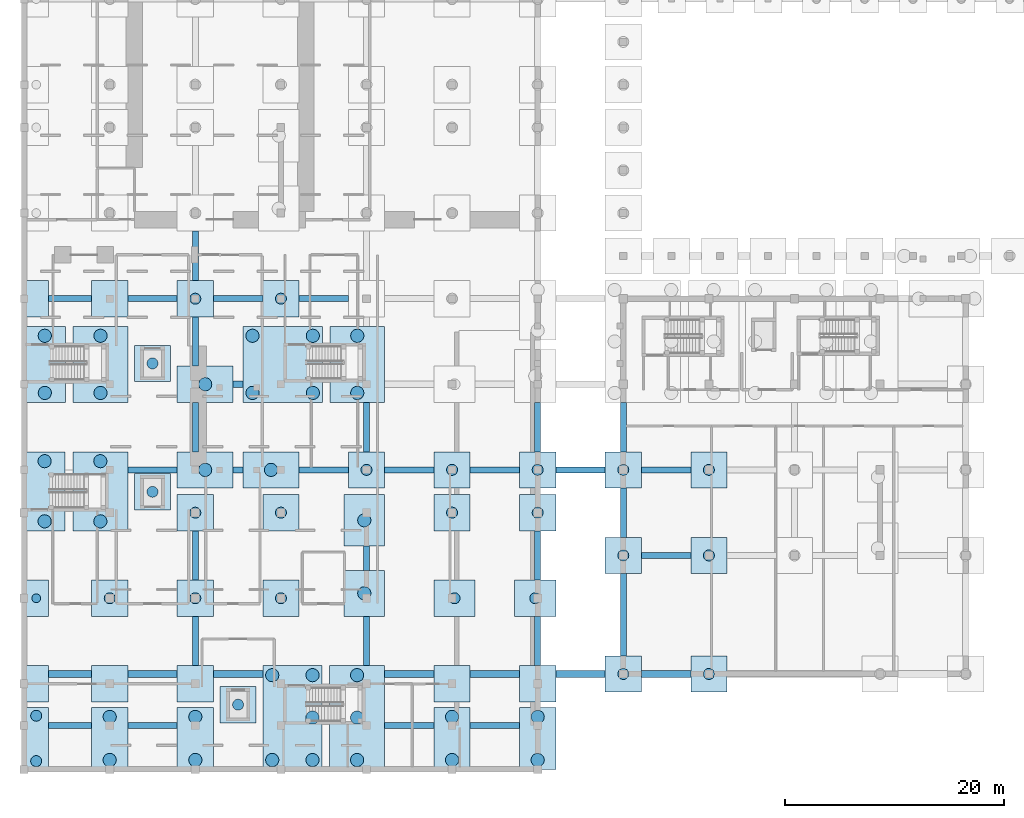
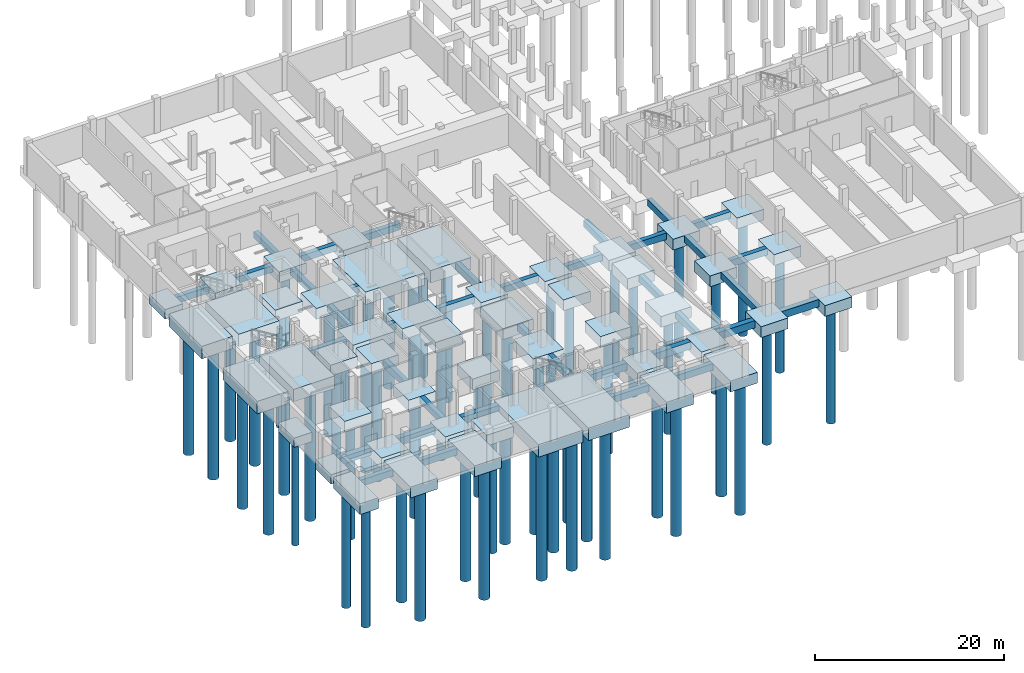
# One storey, part 1 of 24: 87 footings, 61 piles.
"""IFC4 building model written with IfcOpenShell, lengths in metres."""

from ifc_helpers import new_model, si_unit, direction, frame, origin, origin_2d, place, context, subcontext, project, spatial, rectangle, circle, extrude, material, material_profile, profile_set, type_object, element, save


model = new_model("IFC4")

# Units and contexts
model_context = context("Model", 3, precision=1e-05, world=origin(), true_north=direction((0.0, 1.0)))
body_context = subcontext(model_context, "Body", "Model", "MODEL_VIEW")
ifc_project = project(units=[si_unit("LENGTHUNIT", "METRE"), si_unit("AREAUNIT", "SQUARE_METRE"), si_unit("VOLUMEUNIT", "CUBIC_METRE"), si_unit("PLANEANGLEUNIT", "RADIAN"), si_unit("MASSUNIT", "GRAM", prefix="KILO")], contexts=[model_context])

# Site, building, storey
site_placement = place(None, origin())
site = spatial("IfcSite", under=ifc_project, at=site_placement, CompositionType="ELEMENT")
building_placement = place(site_placement, origin())
building = spatial("IfcBuilding", under=site, at=building_placement, Name="Celorna Specialist Clinic", CompositionType="ELEMENT")
storey_placement = place(building_placement, frame((0.0, 0.0, -4.5)))
storey = spatial("IfcBuildingStorey", under=building, at=storey_placement, Name="B01", CompositionType="ELEMENT", Elevation=-4.5)

# Footings
ifc_material = material(Name="Concrete C35/45", Category="concrete")
footing_type_1 = type_object("IfcFootingType", Name="FB-01", PredefinedType="FOOTING_BEAM", material=ifc_material)
footing_1_placement = place(storey_placement, frame((4.175048828125, 4.0, -0.85009765625), z_axis=(0.0, 0.0, 1.0), x_axis=(1.0, 0.0, 0.0)))
element("IfcFooting", 1, at=footing_1_placement, inside=storey, type_object=footing_type_1, Name="Foundation tie beam FB-01 #1", PredefinedType="FOOTING_BEAM", context=body_context, shape_type="SweptSolid", body=[
    extrude(rectangle(XDim=3.949951171875, YDim=0.550048828125, at=origin_2d()), origin(), (0.0, 0.0, 1.0), 0.85009765625),
])
for number, where, z_axis, x_axis, name in (
    (2, (11.699951171875, 4.0, -0.85009765625), (0.0, 0.0, 1.0), (1.0, 0.0, 0.0), "Foundation tie beam FB-01 #2"),
    (3, (35.10009765625, 4.0, -0.85009765625), (0.0, 0.0, 1.0), (1.0, 0.0, 0.0), "Foundation tie beam FB-01 #3"),
    (4, (42.89990234375, 4.0, -0.85009765625), (0.0, 0.0, 1.0), (1.0, 0.0, 0.0), "Foundation tie beam FB-01 #4"),
    (5, (58.5, 19.5, -0.85009765625), (0.0, 0.0, 1.0), (1.0, 0.0, 0.0), "Foundation tie beam FB-01 #14"),
    (6, (11.699951171875, 27.300048828125, -0.85009765625), (0.0, 0.0, 1.0), (1.0, 0.0, 0.0), "Foundation tie beam FB-01 #18"),
):
    element("IfcFooting", number, at=place(storey_placement, frame(where, z_axis=z_axis, x_axis=x_axis)), inside=storey, type_object=footing_type_1, Name=name, PredefinedType="FOOTING_BEAM", context=body_context, shape_type="SweptSolid", body=[
        extrude(rectangle(XDim=4.5, YDim=0.550048828125, at=origin_2d()), origin(), (0.0, 0.0, 1.0), 0.85009765625),
    ])
footing_2_placement = place(storey_placement, frame((19.5, 27.300048828125, -0.85009765625), z_axis=(0.0, 0.0, 1.0), x_axis=(1.0, 0.0, 0.0)))
element("IfcFooting", 7, at=footing_2_placement, inside=storey, type_object=footing_type_1, Name="Foundation tie beam FB-01 #19", PredefinedType="FOOTING_BEAM", context=body_context, shape_type="SweptSolid", body=[
    extrude(rectangle(XDim=0.89990234375, YDim=0.550048828125, at=origin_2d()), origin(), (0.0, 0.0, 1.0), 0.85009765625),
])
for number, where, z_axis, x_axis, name in (
    (8, (27.300048828125, 27.300048828125, -0.85009765625), (0.0, 0.0, 1.0), (1.0, 0.0, 0.0), "Foundation tie beam FB-01 #20"),
    (9, (35.10009765625, 27.300048828125, -0.85009765625), (0.0, 0.0, 1.0), (1.0, 0.0, 0.0), "Foundation tie beam FB-01 #21"),
    (10, (42.89990234375, 27.300048828125, -0.85009765625), (0.0, 0.0, 1.0), (1.0, 0.0, 0.0), "Foundation tie beam FB-01 #22"),
    (11, (50.699951171875, 27.300048828125, -0.85009765625), (0.0, 0.0, 1.0), (1.0, 0.0, 0.0), "Foundation tie beam FB-01 #23"),
    (12, (58.5, 27.300048828125, -0.85009765625), (0.0, 0.0, 1.0), (1.0, 0.0, 0.0), "Foundation tie beam FB-01 #24"),
):
    element("IfcFooting", number, at=place(storey_placement, frame(where, z_axis=z_axis, x_axis=x_axis)), inside=storey, type_object=footing_type_1, Name=name, PredefinedType="FOOTING_BEAM", context=body_context, shape_type="SweptSolid", body=[
        extrude(rectangle(XDim=4.5, YDim=0.550048828125, at=origin_2d()), origin(), (0.0, 0.0, 1.0), 0.85009765625),
    ])
footing_3_placement = place(storey_placement, frame((19.5, 35.10009765625, -0.85009765625), z_axis=(0.0, 0.0, 1.0), x_axis=(1.0, 0.0, 0.0)))
element("IfcFooting", 13, at=footing_3_placement, inside=storey, type_object=footing_type_1, Name="Foundation tie beam FB-01 #28", PredefinedType="FOOTING_BEAM", context=body_context, shape_type="SweptSolid", body=[
    extrude(rectangle(XDim=0.89990234375, YDim=0.550048828125, at=origin_2d()), origin(), (0.0, 0.0, 1.0), 0.85009765625),
])
footing_4_placement = place(storey_placement, frame((4.175048828125, 42.89990234375, -0.85009765625), z_axis=(0.0, 0.0, 1.0), x_axis=(1.0, 0.0, 0.0)))
element("IfcFooting", 14, at=footing_4_placement, inside=storey, type_object=footing_type_1, Name="Foundation tie beam FB-01 #33", PredefinedType="FOOTING_BEAM", context=body_context, shape_type="SweptSolid", body=[
    extrude(rectangle(XDim=3.949951171875, YDim=0.550048828125, at=origin_2d()), origin(), (0.0, 0.0, 1.0), 0.85009765625),
])
for number, where, z_axis, x_axis, name in (
    (15, (11.699951171875, 42.89990234375, -0.85009765625), (0.0, 0.0, 1.0), (1.0, 0.0, 0.0), "Foundation tie beam FB-01 #34"),
    (16, (19.5, 42.89990234375, -0.85009765625), (0.0, 0.0, 1.0), (1.0, 0.0, 0.0), "Foundation tie beam FB-01 #35"),
    (17, (27.300048828125, 42.89990234375, -0.85009765625), (0.0, 0.0, 1.0), (1.0, 0.0, 0.0), "Foundation tie beam FB-01 #36"),
    (18, (15.60009765625, 11.699951171875, -0.85009765625), (0.0, 0.0, 1.0), (0.0, 1.0, 0.0), "Foundation tie beam FB-01 #101"),
    (19, (15.60009765625, 19.5, -0.85009765625), (0.0, 0.0, 1.0), (0.0, 1.0, 0.0), "Foundation tie beam FB-01 #102"),
    (20, (15.60009765625, 31.199951171875, -0.85009765625), (0.0, 0.0, 1.0), (0.0, 1.0, 0.0), "Foundation tie beam FB-01 #103"),
    (21, (15.60009765625, 39.0, -0.85009765625), (0.0, 0.0, 1.0), (0.0, 1.0, 0.0), "Foundation tie beam FB-01 #104"),
    (22, (15.60009765625, 46.800048828125, -0.85009765625), (0.0, 0.0, 1.0), (0.0, 1.0, 0.0), "Foundation tie beam FB-01 #105"),
    (23, (31.199951171875, 11.699951171875, -0.85009765625), (0.0, 0.0, 1.0), (0.0, 1.0, 0.0), "Foundation tie beam FB-01 #108"),
):
    element("IfcFooting", number, at=place(storey_placement, frame(where, z_axis=z_axis, x_axis=x_axis)), inside=storey, type_object=footing_type_1, Name=name, PredefinedType="FOOTING_BEAM", context=body_context, shape_type="SweptSolid", body=[
        extrude(rectangle(XDim=4.5, YDim=0.550048828125, at=origin_2d()), origin(), (0.0, 0.0, 1.0), 0.85009765625),
    ])
footing_5_placement = place(storey_placement, frame((31.199951171875, 19.25, -0.85009765625), z_axis=(0.0, 0.0, 1.0), x_axis=(0.0, 1.0, 0.0)))
element("IfcFooting", 24, at=footing_5_placement, inside=storey, type_object=footing_type_1, Name="Foundation tie beam FB-01 #109", PredefinedType="FOOTING_BEAM", context=body_context, shape_type="SweptSolid", body=[
    extrude(rectangle(XDim=2.199951171875, YDim=0.550048828125, at=origin_2d()), origin(), (0.0, 0.0, 1.0), 0.85009765625),
])
for number, where, z_axis, x_axis, name in (
    (25, (31.199951171875, 31.199951171875, -0.85009765625), (0.0, 0.0, 1.0), (0.0, 1.0, 0.0), "Foundation tie beam FB-01 #110"),
    (26, (46.800048828125, 11.699951171875, -0.85009765625), (0.0, 0.0, 1.0), (0.0, 1.0, 0.0), "Foundation tie beam FB-01 #115"),
    (27, (46.800048828125, 19.5, -0.85009765625), (0.0, 0.0, 1.0), (0.0, 1.0, 0.0), "Foundation tie beam FB-01 #116"),
    (28, (46.800048828125, 31.199951171875, -0.85009765625), (0.0, 0.0, 1.0), (0.0, 1.0, 0.0), "Foundation tie beam FB-01 #117"),
):
    element("IfcFooting", number, at=place(storey_placement, frame(where, z_axis=z_axis, x_axis=x_axis)), inside=storey, type_object=footing_type_1, Name=name, PredefinedType="FOOTING_BEAM", context=body_context, shape_type="SweptSolid", body=[
        extrude(rectangle(XDim=4.5, YDim=0.550048828125, at=origin_2d()), origin(), (0.0, 0.0, 1.0), 0.85009765625),
    ])
footing_6_placement = place(storey_placement, frame((54.60009765625, 14.10009765625, -0.85009765625), z_axis=(0.0, 0.0, 1.0), x_axis=(0.0, 1.0, 0.0)))
element("IfcFooting", 29, at=footing_6_placement, inside=storey, type_object=footing_type_1, Name="Foundation tie beam FB-01 #124", PredefinedType="FOOTING_BEAM", context=body_context, shape_type="SweptSolid", body=[
    extrude(rectangle(XDim=7.5, YDim=0.550048828125, at=origin_2d()), origin(), (0.0, 0.0, 1.0), 0.85009765625),
])
for number, where, z_axis, x_axis, name in (
    (30, (54.60009765625, 23.39990234375, -0.85009765625), (0.0, 0.0, 1.0), (0.0, 1.0, 0.0), "Foundation tie beam FB-01 #125"),
    (31, (54.60009765625, 31.199951171875, -0.85009765625), (0.0, 0.0, 1.0), (0.0, 1.0, 0.0), "Foundation tie beam FB-01 #126"),
):
    element("IfcFooting", number, at=place(storey_placement, frame(where, z_axis=z_axis, x_axis=x_axis)), inside=storey, type_object=footing_type_1, Name=name, PredefinedType="FOOTING_BEAM", context=body_context, shape_type="SweptSolid", body=[
        extrude(rectangle(XDim=4.5, YDim=0.550048828125, at=origin_2d()), origin(), (0.0, 0.0, 1.0), 0.85009765625),
    ])
footing_type_2 = type_object("IfcFootingType", Name="FB-02", PredefinedType="FOOTING_BEAM", material=ifc_material)
footing_7_placement = place(storey_placement, frame((4.175048828125, 8.699951171875, -0.9501953125), z_axis=(0.0, 0.0, 1.0), x_axis=(1.0, 0.0, 0.0)))
element("IfcFooting", 32, at=footing_7_placement, inside=storey, type_object=footing_type_2, Name="Foundation tie beam FB-02 #5", PredefinedType="FOOTING_BEAM", context=body_context, shape_type="SweptSolid", body=[
    extrude(rectangle(XDim=3.949951171875, YDim=0.64990234375, at=origin_2d()), origin(), (0.0, 0.0, 1.0), 0.949951171875),
])
for number, where, z_axis, x_axis, name in (
    (33, (11.699951171875, 8.699951171875, -0.9501953125), (0.0, 0.0, 1.0), (1.0, 0.0, 0.0), "Foundation tie beam FB-02 #6"),
    (34, (19.5, 8.699951171875, -0.9501953125), (0.0, 0.0, 1.0), (1.0, 0.0, 0.0), "Foundation tie beam FB-02 #7"),
    (35, (35.10009765625, 8.699951171875, -0.9501953125), (0.0, 0.0, 1.0), (1.0, 0.0, 0.0), "Foundation tie beam FB-02 #8"),
    (36, (42.89990234375, 8.699951171875, -0.9501953125), (0.0, 0.0, 1.0), (1.0, 0.0, 0.0), "Foundation tie beam FB-02 #9"),
    (37, (50.699951171875, 8.699951171875, -0.9501953125), (0.0, 0.0, 1.0), (1.0, 0.0, 0.0), "Foundation tie beam FB-02 #10"),
    (38, (58.5, 8.699951171875, -0.9501953125), (0.0, 0.0, 1.0), (1.0, 0.0, 0.0), "Foundation tie beam FB-02 #11"),
):
    element("IfcFooting", number, at=place(storey_placement, frame(where, z_axis=z_axis, x_axis=x_axis)), inside=storey, type_object=footing_type_2, Name=name, PredefinedType="FOOTING_BEAM", context=body_context, shape_type="SweptSolid", body=[
        extrude(rectangle(XDim=4.5, YDim=0.64990234375, at=origin_2d()), origin(), (0.0, 0.0, 1.0), 0.949951171875),
    ])

# Piles
ifc_material_profile_1 = material_profile(ifc_material, circle(Radius=0.39990234375, at=origin_2d()), Name="BORED PILE 800")
ifc_profile_set_1 = profile_set([ifc_material_profile_1], Name="Concrete C35/45")
pile_type_1 = type_object("IfcPileType", Name="P1", PredefinedType="BORED", material=ifc_profile_set_1)
pile_placement = place(storey_placement, frame((1.10009765625, 15.60009765625, -1.10009765625), z_axis=(0.0, 0.0, -1.0), x_axis=(1.0, 0.0, 0.0)))
element("IfcPile", 39, at=pile_placement, inside=storey, type_object=pile_type_1, Name="Bored pile P1 #3", PredefinedType="BORED", context=body_context, shape_type="SweptSolid", body=[
    extrude(circle(Radius=0.39990234375, at=origin_2d()), origin(), (0.0, 0.0, 1.0), 13.89990234375),
])
ifc_material_profile_2 = material_profile(ifc_material, circle(Radius=0.5, at=origin_2d()), Name="BORED PILE 1000")
ifc_profile_set_2 = profile_set([ifc_material_profile_2], Name="Concrete C35/45")
pile_type_2 = type_object("IfcPileType", Name="P2", PredefinedType="BORED", material=ifc_profile_set_2)
for number, where, z_axis, x_axis, name in (
    (40, (1.10009765625, 0.760009765625, -1.300048828125), (0.0, 0.0, -1.0), (1.0, 0.0, 0.0), "Bored pile P2 #1"),
    (41, (1.10009765625, 4.889892578125, -1.300048828125), (0.0, 0.0, -1.0), (1.0, 0.0, 0.0), "Bored pile P2 #2"),
    (42, (7.800048828125, 15.60009765625, -1.300048828125), (0.0, 0.0, -1.0), (1.0, 0.0, 0.0), "Bored pile P2 #18"),
    (43, (11.699951171875, 25.300048828125, -1.300048828125), (0.0, 0.0, -1.0), (1.0, 0.0, 0.0), "Bored pile P2 #23"),
    (44, (11.699951171875, 37.0, -1.300048828125), (0.0, 0.0, -1.0), (1.0, 0.0, 0.0), "Bored pile P2 #24"),
    (45, (15.60009765625, 15.60009765625, -1.300048828125), (0.0, 0.0, -1.0), (1.0, 0.0, 0.0), "Bored pile P2 #27"),
    (46, (15.60009765625, 23.39990234375, -1.300048828125), (0.0, 0.0, -1.0), (1.0, 0.0, 0.0), "Bored pile P2 #28"),
    (47, (15.60009765625, 42.89990234375, -1.300048828125), (0.0, 0.0, -1.0), (1.0, 0.0, 0.0), "Bored pile P2 #31"),
    (48, (19.5, 5.89990234375, -1.300048828125), (0.0, 0.0, -1.0), (1.0, 0.0, 0.0), "Bored pile P2 #36"),
    (49, (23.39990234375, 15.60009765625, -1.300048828125), (0.0, 0.0, -1.0), (1.0, 0.0, 0.0), "Bored pile P2 #49"),
    (50, (23.39990234375, 23.39990234375, -1.300048828125), (0.0, 0.0, -1.0), (1.0, 0.0, 0.0), "Bored pile P2 #50"),
    (51, (23.39990234375, 42.89990234375, -1.300048828125), (0.0, 0.0, -1.0), (1.0, 0.0, 0.0), "Bored pile P2 #51"),
    (52, (31.199951171875, 27.300048828125, -1.300048828125), (0.0, 0.0, -1.0), (1.0, 0.0, 0.0), "Bored pile P2 #61"),
    (53, (39.219970703125, 15.60009765625, -1.300048828125), (0.0, 0.0, -1.0), (1.0, 0.0, 0.0), "Bored pile P2 #68"),
    (54, (39.0, 23.39990234375, -1.300048828125), (0.0, 0.0, -1.0), (1.0, 0.0, 0.0), "Bored pile P2 #69"),
    (55, (39.0, 27.300048828125, -1.300048828125), (0.0, 0.0, -1.0), (1.0, 0.0, 0.0), "Bored pile P2 #70"),
    (56, (46.580078125, 15.60009765625, -1.300048828125), (0.0, 0.0, -1.0), (1.0, 0.0, 0.0), "Bored pile P2 #77"),
    (57, (46.800048828125, 23.39990234375, -1.300048828125), (0.0, 0.0, -1.0), (1.0, 0.0, 0.0), "Bored pile P2 #81"),
    (58, (46.800048828125, 27.300048828125, -1.300048828125), (0.0, 0.0, -1.0), (1.0, 0.0, 0.0), "Bored pile P2 #82"),
    (59, (54.60009765625, 8.699951171875, -1.300048828125), (0.0, 0.0, -1.0), (1.0, 0.0, 0.0), "Bored pile P2 #96"),
    (60, (54.60009765625, 19.5, -1.300048828125), (0.0, 0.0, -1.0), (1.0, 0.0, 0.0), "Bored pile P2 #97"),
    (61, (54.60009765625, 27.300048828125, -1.300048828125), (0.0, 0.0, -1.0), (1.0, 0.0, 0.0), "Bored pile P2 #98"),
    (62, (62.39990234375, 8.699951171875, -1.300048828125), (0.0, 0.0, -1.0), (1.0, 0.0, 0.0), "Bored pile P2 #126"),
    (63, (62.39990234375, 19.5, -1.300048828125), (0.0, 0.0, -1.0), (1.0, 0.0, 0.0), "Bored pile P2 #127"),
    (64, (62.39990234375, 27.300048828125, -1.300048828125), (0.0, 0.0, -1.0), (1.0, 0.0, 0.0), "Bored pile P2 #128"),
):
    element("IfcPile", number, at=place(storey_placement, frame(where, z_axis=z_axis, x_axis=x_axis)), inside=storey, type_object=pile_type_2, Name=name, PredefinedType="BORED", context=body_context, shape_type="SweptSolid", body=[
        extrude(circle(Radius=0.5, at=origin_2d()), origin(), (0.0, 0.0, 1.0), 15.199951171875),
    ])
ifc_material_profile_3 = material_profile(ifc_material, circle(Radius=0.60009765625, at=origin_2d()), Name="BORED PILE 1200")
ifc_profile_set_3 = profile_set([ifc_material_profile_3], Name="Concrete C35/45")
pile_type_3 = type_object("IfcPileType", Name="P3", PredefinedType="BORED", material=ifc_profile_set_3)
for number, where, z_axis, x_axis, name in (
    (65, (1.8701171875, 22.610107421875, -1.5), (0.0, 0.0, -1.0), (1.0, 0.0, 0.0), "Bored pile P3 #4"),
    (66, (1.8701171875, 28.090087890625, -1.5), (0.0, 0.0, -1.0), (1.0, 0.0, 0.0), "Bored pile P3 #5"),
    (67, (1.885009765625, 34.31005859375, -1.5), (0.0, 0.0, -1.0), (1.0, 0.0, 0.0), "Bored pile P3 #6"),
    (68, (1.885009765625, 39.52001953125, -1.5), (0.0, 0.0, -1.0), (1.0, 0.0, 0.0), "Bored pile P3 #7"),
    (69, (6.945068359375, 22.610107421875, -1.5), (0.0, 0.0, -1.0), (1.0, 0.0, 0.0), "Bored pile P3 #12"),
    (70, (6.945068359375, 28.090087890625, -1.5), (0.0, 0.0, -1.0), (1.0, 0.0, 0.0), "Bored pile P3 #13"),
    (71, (6.9599609375, 34.31005859375, -1.5), (0.0, 0.0, -1.0), (1.0, 0.0, 0.0), "Bored pile P3 #14"),
    (72, (6.9599609375, 39.52001953125, -1.5), (0.0, 0.0, -1.0), (1.0, 0.0, 0.0), "Bored pile P3 #15"),
):
    element("IfcPile", number, at=place(storey_placement, frame(where, z_axis=z_axis, x_axis=x_axis)), inside=storey, type_object=pile_type_3, Name=name, PredefinedType="BORED", context=body_context, shape_type="SweptSolid", body=[
        extrude(circle(Radius=0.60009765625, at=origin_2d()), origin(), (0.0, 0.0, 1.0), 16.5),
    ])
for number, where, z_axis, x_axis, name in (
    (73, (7.800048828125, 0.860107421875, -1.300048828125), (0.0, 0.0, -1.0), (1.0, 0.0, 0.0), "Bored pile P3 #16"),
    (74, (7.800048828125, 4.7900390625, -1.300048828125), (0.0, 0.0, -1.0), (1.0, 0.0, 0.0), "Bored pile P3 #17"),
    (75, (15.60009765625, 0.860107421875, -1.300048828125), (0.0, 0.0, -1.0), (1.0, 0.0, 0.0), "Bored pile P3 #25"),
    (76, (15.60009765625, 4.7900390625, -1.300048828125), (0.0, 0.0, -1.0), (1.0, 0.0, 0.0), "Bored pile P3 #26"),
    (77, (16.5, 27.300048828125, -1.300048828125), (0.0, 0.0, -1.0), (1.0, 0.0, 0.0), "Bored pile P3 #29"),
    (78, (16.5, 35.10009765625, -1.300048828125), (0.0, 0.0, -1.0), (1.0, 0.0, 0.0), "Bored pile P3 #30"),
    (79, (22.5, 27.300048828125, -1.300048828125), (0.0, 0.0, -1.0), (1.0, 0.0, 0.0), "Bored pile P3 #37"),
):
    element("IfcPile", number, at=place(storey_placement, frame(where, z_axis=z_axis, x_axis=x_axis)), inside=storey, type_object=pile_type_3, Name=name, PredefinedType="BORED", context=body_context, shape_type="SweptSolid", body=[
        extrude(circle(Radius=0.60009765625, at=origin_2d()), origin(), (0.0, 0.0, 1.0), 16.699951171875),
    ])
for number, where, z_axis, x_axis, name in (
    (80, (20.81005859375, 34.31005859375, -1.5), (0.0, 0.0, -1.0), (1.0, 0.0, 0.0), "Bored pile P3 #38"),
    (81, (20.81005859375, 39.52001953125, -1.5), (0.0, 0.0, -1.0), (1.0, 0.0, 0.0), "Bored pile P3 #39"),
    (82, (26.31005859375, 34.31005859375, -1.5), (0.0, 0.0, -1.0), (1.0, 0.0, 0.0), "Bored pile P3 #40"),
    (83, (26.31005859375, 39.52001953125, -1.5), (0.0, 0.0, -1.0), (1.0, 0.0, 0.0), "Bored pile P3 #41"),
    (84, (22.610107421875, 0.860107421875, -1.5), (0.0, 0.0, -1.0), (1.0, 0.0, 0.0), "Bored pile P3 #44"),
    (85, (22.610107421875, 8.590087890625, -1.5), (0.0, 0.0, -1.0), (1.0, 0.0, 0.0), "Bored pile P3 #45"),
    (86, (26.280029296875, 0.860107421875, -1.5), (0.0, 0.0, -1.0), (1.0, 0.0, 0.0), "Bored pile P3 #46"),
    (87, (26.280029296875, 4.72509765625, -1.5), (0.0, 0.0, -1.0), (1.0, 0.0, 0.0), "Bored pile P3 #47"),
    (88, (26.280029296875, 8.590087890625, -1.5), (0.0, 0.0, -1.0), (1.0, 0.0, 0.0), "Bored pile P3 #48"),
    (89, (30.344970703125, 0.860107421875, -1.5), (0.0, 0.0, -1.0), (1.0, 0.0, 0.0), "Bored pile P3 #54"),
    (90, (30.344970703125, 4.72509765625, -1.5), (0.0, 0.0, -1.0), (1.0, 0.0, 0.0), "Bored pile P3 #55"),
    (91, (30.344970703125, 8.590087890625, -1.5), (0.0, 0.0, -1.0), (1.0, 0.0, 0.0), "Bored pile P3 #56"),
    (92, (30.360107421875, 34.31005859375, -1.5), (0.0, 0.0, -1.0), (1.0, 0.0, 0.0), "Bored pile P3 #57"),
    (93, (30.360107421875, 39.52001953125, -1.5), (0.0, 0.0, -1.0), (1.0, 0.0, 0.0), "Bored pile P3 #58"),
):
    element("IfcPile", number, at=place(storey_placement, frame(where, z_axis=z_axis, x_axis=x_axis)), inside=storey, type_object=pile_type_3, Name=name, PredefinedType="BORED", context=body_context, shape_type="SweptSolid", body=[
        extrude(circle(Radius=0.60009765625, at=origin_2d()), origin(), (0.0, 0.0, 1.0), 16.5),
    ])
for number, where, z_axis, x_axis, name in (
    (94, (31.0, 16.050048828125, -1.300048828125), (0.0, 0.0, -1.0), (1.0, 0.0, 0.0), "Bored pile P3 #59"),
    (95, (31.0, 22.699951171875, -1.300048828125), (0.0, 0.0, -1.0), (1.0, 0.0, 0.0), "Bored pile P3 #60"),
    (96, (39.0, 0.860107421875, -1.300048828125), (0.0, 0.0, -1.0), (1.0, 0.0, 0.0), "Bored pile P3 #66"),
    (97, (39.0, 4.7900390625, -1.300048828125), (0.0, 0.0, -1.0), (1.0, 0.0, 0.0), "Bored pile P3 #67"),
    (98, (46.800048828125, 0.860107421875, -1.300048828125), (0.0, 0.0, -1.0), (1.0, 0.0, 0.0), "Bored pile P3 #79"),
    (99, (46.800048828125, 4.7900390625, -1.300048828125), (0.0, 0.0, -1.0), (1.0, 0.0, 0.0), "Bored pile P3 #80"),
):
    element("IfcPile", number, at=place(storey_placement, frame(where, z_axis=z_axis, x_axis=x_axis)), inside=storey, type_object=pile_type_3, Name=name, PredefinedType="BORED", context=body_context, shape_type="SweptSolid", body=[
        extrude(circle(Radius=0.60009765625, at=origin_2d()), origin(), (0.0, 0.0, 1.0), 16.699951171875),
    ])

# Footings
footing_type_3 = type_object("IfcFootingType", Name="PC-01", PredefinedType="PILE_CAP", material=ifc_material)
footing_8_placement = place(storey_placement, frame((1.10009765625, 2.824951171875, -1.39990234375), z_axis=(0.0, 0.0, 1.0), x_axis=(1.0, 0.0, 0.0)))
element("IfcFooting", 100, at=footing_8_placement, inside=storey, type_object=footing_type_3, Name="Pile cap PC-01 #1", PredefinedType="PILE_CAP", context=body_context, shape_type="SweptSolid", body=[
    extrude(rectangle(XDim=2.199951171875, YDim=5.64990234375, at=origin_2d()), origin(), (0.0, 0.0, 1.0), 1.39990234375),
])
footing_type_4 = type_object("IfcFootingType", Name="PC-02", PredefinedType="PILE_CAP", material=ifc_material)
for number, where, z_axis, x_axis, name in (
    (101, (1.10009765625, 7.800048828125, -1.2001953125), (0.0, 0.0, 1.0), (1.0, 0.0, 0.0), "Pile cap PC-02 #2"),
    (102, (1.10009765625, 15.60009765625, -1.2001953125), (0.0, 0.0, 1.0), (1.0, 0.0, 0.0), "Pile cap PC-02 #3"),
    (103, (1.10009765625, 42.89990234375, -1.2001953125), (0.0, 0.0, 1.0), (1.0, 0.0, 0.0), "Pile cap PC-02 #6"),
):
    element("IfcFooting", number, at=place(storey_placement, frame(where, z_axis=z_axis, x_axis=x_axis)), inside=storey, type_object=footing_type_4, Name=name, PredefinedType="PILE_CAP", context=body_context, shape_type="SweptSolid", body=[
        extrude(rectangle(XDim=2.199951171875, YDim=3.300048828125, at=origin_2d()), origin(), (0.0, 0.0, 1.0), 1.199951171875),
    ])
footing_type_5 = type_object("IfcFootingType", Name="PC-03", PredefinedType="PILE_CAP", material=ifc_material)
footing_9_placement = place(storey_placement, frame((1.8701171875, 25.35009765625, -1.60009765625), z_axis=(0.0, 0.0, 1.0), x_axis=(1.0, 0.0, 0.0)))
element("IfcFooting", 104, at=footing_9_placement, inside=storey, type_object=footing_type_5, Name="Pile cap PC-03 #4", PredefinedType="PILE_CAP", context=body_context, shape_type="SweptSolid", body=[
    extrude(rectangle(XDim=3.739990234375, YDim=7.199951171875, at=origin_2d()), origin(), (0.0, 0.0, 1.0), 1.60009765625),
])
footing_type_6 = type_object("IfcFootingType", Name="PC-04", PredefinedType="PILE_CAP", material=ifc_material)
footing_10_placement = place(storey_placement, frame((1.885009765625, 36.9150390625, -1.60009765625), z_axis=(0.0, 0.0, 1.0), x_axis=(1.0, 0.0, 0.0)))
element("IfcFooting", 105, at=footing_10_placement, inside=storey, type_object=footing_type_6, Name="Pile cap PC-04 #5", PredefinedType="PILE_CAP", context=body_context, shape_type="SweptSolid", body=[
    extrude(rectangle(XDim=3.77001953125, YDim=6.929931640625, at=origin_2d()), origin(), (0.0, 0.0, 1.0), 1.60009765625),
])
footing_type_7 = type_object("IfcFootingType", Name="PC-05", PredefinedType="PILE_CAP", material=ifc_material)
footing_11_placement = place(storey_placement, frame((6.945068359375, 25.35009765625, -1.60009765625), z_axis=(0.0, 0.0, 1.0), x_axis=(1.0, 0.0, 0.0)))
element("IfcFooting", 106, at=footing_11_placement, inside=storey, type_object=footing_type_7, Name="Pile cap PC-05 #11", PredefinedType="PILE_CAP", context=body_context, shape_type="SweptSolid", body=[
    extrude(rectangle(XDim=5.010009765625, YDim=7.199951171875, at=origin_2d()), origin(), (0.0, 0.0, 1.0), 1.60009765625),
])
footing_type_8 = type_object("IfcFootingType", Name="PC-06", PredefinedType="PILE_CAP", material=ifc_material)
for number, where, z_axis, x_axis, name in (
    (107, (6.9599609375, 36.9150390625, -1.60009765625), (0.0, 0.0, 1.0), (1.0, 0.0, 0.0), "Pile cap PC-06 #12"),
    (108, (30.360107421875, 36.9150390625, -1.60009765625), (0.0, 0.0, 1.0), (1.0, 0.0, 0.0), "Pile cap PC-06 #46"),
):
    element("IfcFooting", number, at=place(storey_placement, frame(where, z_axis=z_axis, x_axis=x_axis)), inside=storey, type_object=footing_type_8, Name=name, PredefinedType="PILE_CAP", context=body_context, shape_type="SweptSolid", body=[
        extrude(rectangle(XDim=4.97998046875, YDim=6.929931640625, at=origin_2d()), origin(), (0.0, 0.0, 1.0), 1.60009765625),
    ])
footing_type_9 = type_object("IfcFootingType", Name="PC-07", PredefinedType="PILE_CAP", material=ifc_material)
for number, where, z_axis, x_axis, name in (
    (109, (7.800048828125, 2.824951171875, -1.39990234375), (0.0, 0.0, 1.0), (1.0, 0.0, 0.0), "Pile cap PC-07 #13"),
    (110, (15.60009765625, 2.824951171875, -1.39990234375), (0.0, 0.0, 1.0), (1.0, 0.0, 0.0), "Pile cap PC-07 #23"),
    (111, (39.0, 2.824951171875, -1.39990234375), (0.0, 0.0, 1.0), (1.0, 0.0, 0.0), "Pile cap PC-07 #55"),
    (112, (46.800048828125, 2.824951171875, -1.39990234375), (0.0, 0.0, 1.0), (1.0, 0.0, 0.0), "Pile cap PC-07 #68"),
):
    element("IfcFooting", number, at=place(storey_placement, frame(where, z_axis=z_axis, x_axis=x_axis)), inside=storey, type_object=footing_type_9, Name=name, PredefinedType="PILE_CAP", context=body_context, shape_type="SweptSolid", body=[
        extrude(rectangle(XDim=3.300048828125, YDim=5.64990234375, at=origin_2d()), origin(), (0.0, 0.0, 1.0), 1.39990234375),
    ])
footing_type_10 = type_object("IfcFootingType", Name="PC-08", PredefinedType="PILE_CAP", material=ifc_material)
for number, where, z_axis, x_axis, name in (
    (113, (7.800048828125, 7.800048828125, -1.39990234375), (0.0, 0.0, 1.0), (1.0, 0.0, 0.0), "Pile cap PC-08 #14"),
    (114, (7.800048828125, 15.60009765625, -1.39990234375), (0.0, 0.0, 1.0), (1.0, 0.0, 0.0), "Pile cap PC-08 #15"),
    (115, (7.800048828125, 42.89990234375, -1.39990234375), (0.0, 0.0, 1.0), (1.0, 0.0, 0.0), "Pile cap PC-08 #16"),
    (116, (11.699951171875, 25.300048828125, -1.39990234375), (0.0, 0.0, 1.0), (1.0, 0.0, 0.0), "Pile cap PC-08 #21"),
    (117, (11.699951171875, 37.0, -1.39990234375), (0.0, 0.0, 1.0), (1.0, 0.0, 0.0), "Pile cap PC-08 #22"),
    (118, (15.60009765625, 7.800048828125, -1.39990234375), (0.0, 0.0, 1.0), (1.0, 0.0, 0.0), "Pile cap PC-08 #24"),
    (119, (15.60009765625, 15.60009765625, -1.39990234375), (0.0, 0.0, 1.0), (1.0, 0.0, 0.0), "Pile cap PC-08 #25"),
    (120, (15.60009765625, 23.39990234375, -1.39990234375), (0.0, 0.0, 1.0), (1.0, 0.0, 0.0), "Pile cap PC-08 #26"),
    (121, (15.60009765625, 42.89990234375, -1.39990234375), (0.0, 0.0, 1.0), (1.0, 0.0, 0.0), "Pile cap PC-08 #29"),
    (122, (19.5, 5.89990234375, -1.39990234375), (0.0, 0.0, 1.0), (1.0, 0.0, 0.0), "Pile cap PC-08 #34"),
    (123, (23.39990234375, 15.60009765625, -1.39990234375), (0.0, 0.0, 1.0), (1.0, 0.0, 0.0), "Pile cap PC-08 #40"),
    (124, (23.39990234375, 23.39990234375, -1.39990234375), (0.0, 0.0, 1.0), (1.0, 0.0, 0.0), "Pile cap PC-08 #41"),
    (125, (23.39990234375, 42.89990234375, -1.39990234375), (0.0, 0.0, 1.0), (1.0, 0.0, 0.0), "Pile cap PC-08 #42"),
    (126, (31.199951171875, 27.300048828125, -1.39990234375), (0.0, 0.0, 1.0), (1.0, 0.0, 0.0), "Pile cap PC-08 #49"),
    (127, (39.0, 7.800048828125, -1.39990234375), (0.0, 0.0, 1.0), (1.0, 0.0, 0.0), "Pile cap PC-08 #56"),
    (128, (39.0, 23.39990234375, -1.39990234375), (0.0, 0.0, 1.0), (1.0, 0.0, 0.0), "Pile cap PC-08 #58"),
    (129, (39.0, 27.300048828125, -1.39990234375), (0.0, 0.0, 1.0), (1.0, 0.0, 0.0), "Pile cap PC-08 #59"),
    (130, (46.800048828125, 7.800048828125, -1.39990234375), (0.0, 0.0, 1.0), (1.0, 0.0, 0.0), "Pile cap PC-08 #69"),
    (131, (46.800048828125, 23.39990234375, -1.39990234375), (0.0, 0.0, 1.0), (1.0, 0.0, 0.0), "Pile cap PC-08 #70"),
    (132, (46.800048828125, 27.300048828125, -1.39990234375), (0.0, 0.0, 1.0), (1.0, 0.0, 0.0), "Pile cap PC-08 #71"),
    (133, (54.60009765625, 8.699951171875, -1.39990234375), (0.0, 0.0, 1.0), (1.0, 0.0, 0.0), "Pile cap PC-08 #82"),
    (134, (54.60009765625, 19.5, -1.39990234375), (0.0, 0.0, 1.0), (1.0, 0.0, 0.0), "Pile cap PC-08 #83"),
    (135, (54.60009765625, 27.300048828125, -1.39990234375), (0.0, 0.0, 1.0), (1.0, 0.0, 0.0), "Pile cap PC-08 #84"),
    (136, (62.39990234375, 8.699951171875, -1.39990234375), (0.0, 0.0, 1.0), (1.0, 0.0, 0.0), "Pile cap PC-08 #101"),
    (137, (62.39990234375, 19.5, -1.39990234375), (0.0, 0.0, 1.0), (1.0, 0.0, 0.0), "Pile cap PC-08 #102"),
    (138, (62.39990234375, 27.300048828125, -1.39990234375), (0.0, 0.0, 1.0), (1.0, 0.0, 0.0), "Pile cap PC-08 #103"),
):
    element("IfcFooting", number, at=place(storey_placement, frame(where, z_axis=z_axis, x_axis=x_axis)), inside=storey, type_object=footing_type_10, Name=name, PredefinedType="PILE_CAP", context=body_context, shape_type="SweptSolid", body=[
        extrude(rectangle(XDim=3.300048828125, YDim=3.300048828125, at=origin_2d()), origin(), (0.0, 0.0, 1.0), 1.39990234375),
    ])
footing_type_11 = type_object("IfcFootingType", Name="PC-09", PredefinedType="PILE_CAP", material=ifc_material)
for number, where, z_axis, x_axis, name in (
    (139, (16.5, 27.300048828125, -1.39990234375), (0.0, 0.0, 1.0), (1.0, 0.0, 0.0), "Pile cap PC-09 #27"),
    (140, (16.5, 35.10009765625, -1.39990234375), (0.0, 0.0, 1.0), (1.0, 0.0, 0.0), "Pile cap PC-09 #28"),
    (141, (22.5, 27.300048828125, -1.39990234375), (0.0, 0.0, 1.0), (1.0, 0.0, 0.0), "Pile cap PC-09 #35"),
):
    element("IfcFooting", number, at=place(storey_placement, frame(where, z_axis=z_axis, x_axis=x_axis)), inside=storey, type_object=footing_type_11, Name=name, PredefinedType="PILE_CAP", context=body_context, shape_type="SweptSolid", body=[
        extrude(rectangle(XDim=5.10009765625, YDim=3.300048828125, at=origin_2d()), origin(), (0.0, 0.0, 1.0), 1.39990234375),
    ])
footing_type_12 = type_object("IfcFootingType", Name="PC-10", PredefinedType="PILE_CAP", material=ifc_material)
footing_12_placement = place(storey_placement, frame((23.56005859375, 36.9150390625, -1.60009765625), z_axis=(0.0, 0.0, 1.0), x_axis=(1.0, 0.0, 0.0)))
element("IfcFooting", 142, at=footing_12_placement, inside=storey, type_object=footing_type_12, Name="Pile cap PC-10 #36", PredefinedType="PILE_CAP", context=body_context, shape_type="SweptSolid", body=[
    extrude(rectangle(XDim=7.219970703125, YDim=6.929931640625, at=origin_2d()), origin(), (0.0, 0.0, 1.0), 1.60009765625),
])
footing_type_13 = type_object("IfcFootingType", Name="PC-13", PredefinedType="PILE_CAP", material=ifc_material)
footing_13_placement = place(storey_placement, frame((24.445068359375, 4.72509765625, -1.60009765625), z_axis=(0.0, 0.0, 1.0), x_axis=(1.0, 0.0, 0.0)))
element("IfcFooting", 143, at=footing_13_placement, inside=storey, type_object=footing_type_13, Name="Pile cap PC-13 #39", PredefinedType="PILE_CAP", context=body_context, shape_type="SweptSolid", body=[
    extrude(rectangle(XDim=5.389892578125, YDim=9.449951171875, at=origin_2d()), origin(), (0.0, 0.0, 1.0), 1.60009765625),
])
footing_type_14 = type_object("IfcFootingType", Name="PC-14", PredefinedType="PILE_CAP", material=ifc_material)
footing_14_placement = place(storey_placement, frame((30.344970703125, 4.72509765625, -1.60009765625), z_axis=(0.0, 0.0, 1.0), x_axis=(1.0, 0.0, 0.0)))
element("IfcFooting", 144, at=footing_14_placement, inside=storey, type_object=footing_type_14, Name="Pile cap PC-14 #45", PredefinedType="PILE_CAP", context=body_context, shape_type="SweptSolid", body=[
    extrude(rectangle(XDim=5.010009765625, YDim=9.449951171875, at=origin_2d()), origin(), (0.0, 0.0, 1.0), 1.60009765625),
])
footing_type_15 = type_object("IfcFootingType", Name="PC-15", PredefinedType="PILE_CAP", material=ifc_material)
footing_15_placement = place(storey_placement, frame((31.0, 16.050048828125, -1.39990234375), z_axis=(0.0, 0.0, 1.0), x_axis=(1.0, 0.0, 0.0)))
element("IfcFooting", 145, at=footing_15_placement, inside=storey, type_object=footing_type_15, Name="Pile cap PC-15 #47", PredefinedType="PILE_CAP", context=body_context, shape_type="SweptSolid", body=[
    extrude(rectangle(XDim=3.699951171875, YDim=4.199951171875, at=origin_2d()), origin(), (0.0, 0.0, 1.0), 1.39990234375),
])
footing_type_16 = type_object("IfcFootingType", Name="PC-16", PredefinedType="PILE_CAP", material=ifc_material)
footing_16_placement = place(storey_placement, frame((31.0, 22.699951171875, -1.39990234375), z_axis=(0.0, 0.0, 1.0), x_axis=(1.0, 0.0, 0.0)))
element("IfcFooting", 146, at=footing_16_placement, inside=storey, type_object=footing_type_16, Name="Pile cap PC-16 #48", PredefinedType="PILE_CAP", context=body_context, shape_type="SweptSolid", body=[
    extrude(rectangle(XDim=3.699951171875, YDim=4.699951171875, at=origin_2d()), origin(), (0.0, 0.0, 1.0), 1.39990234375),
])
footing_type_17 = type_object("IfcFootingType", Name="PC-17", PredefinedType="PILE_CAP", material=ifc_material)
for number, where, z_axis, x_axis, name in (
    (147, (39.219970703125, 15.60009765625, -1.39990234375), (0.0, 0.0, 1.0), (1.0, 0.0, 0.0), "Pile cap PC-17 #57"),
    (148, (46.580078125, 15.60009765625, -1.39990234375), (0.0, 0.0, 1.0), (1.0, 0.0, 0.0), "Pile cap PC-17 #66"),
):
    element("IfcFooting", number, at=place(storey_placement, frame(where, z_axis=z_axis, x_axis=x_axis)), inside=storey, type_object=footing_type_17, Name=name, PredefinedType="PILE_CAP", context=body_context, shape_type="SweptSolid", body=[
        extrude(rectangle(XDim=3.739990234375, YDim=3.300048828125, at=origin_2d()), origin(), (0.0, 0.0, 1.0), 1.39990234375),
    ])

save(model, "model.ifc")
